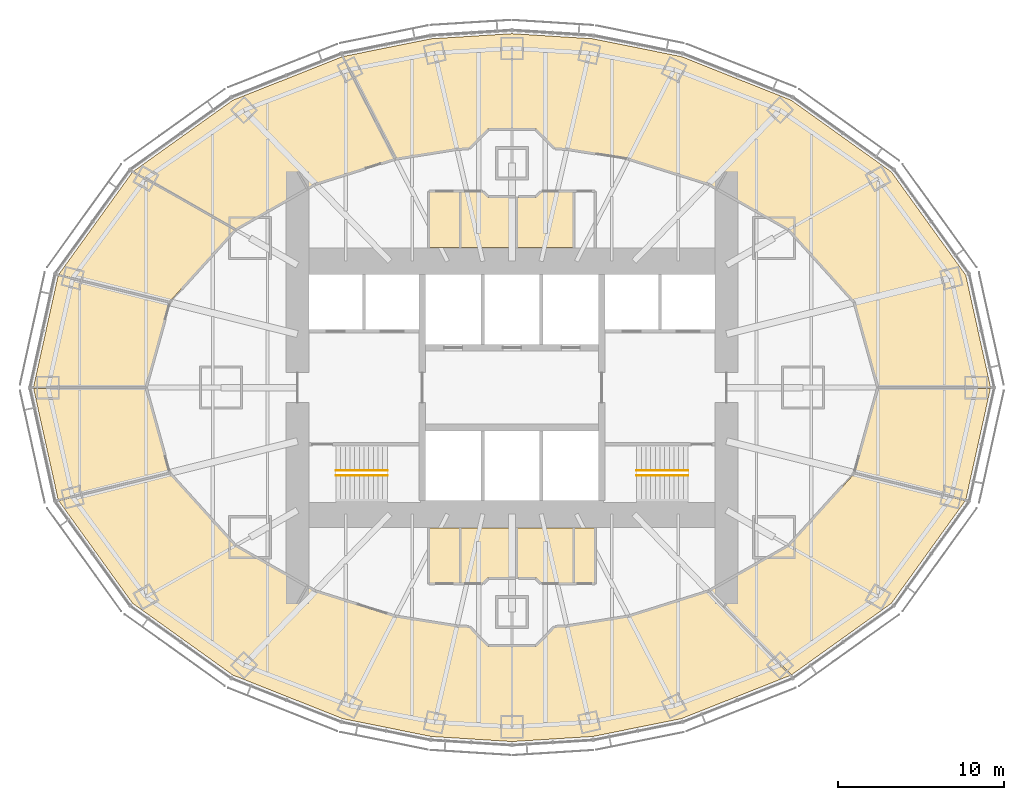
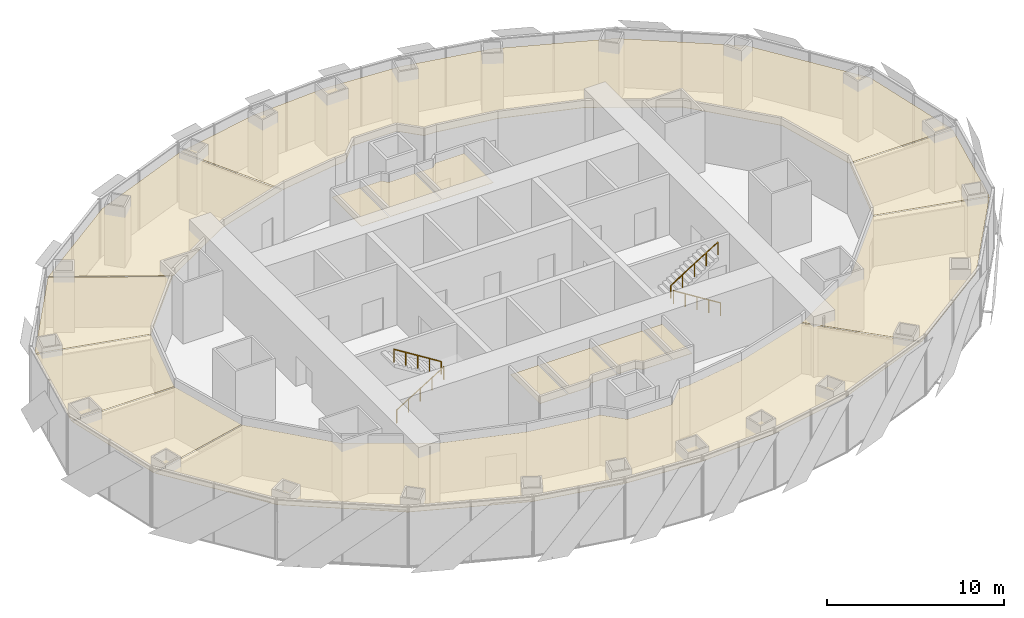
# One storey, part 17 of 17: 15 coverings, 4 railings.
"""IFC4 building model written with IfcOpenShell, lengths in metres."""

from ifc_helpers import new_model, si_unit, direction, frame, origin, origin_2d, place, context, subcontext, project, spatial, polyline, circle, outline, extrude, material, layer, layer_set, type_object, element, save


model = new_model("IFC4")

# Units and contexts
model_context = context("Model", 3, precision=1e-05, world=origin(), true_north=direction((0.0, 1.0)))
body_context = subcontext(model_context, "Body", "Model", "MODEL_VIEW")
ifc_project = project(units=[si_unit("LENGTHUNIT", "METRE"), si_unit("AREAUNIT", "SQUARE_METRE"), si_unit("VOLUMEUNIT", "CUBIC_METRE"), si_unit("PLANEANGLEUNIT", "RADIAN"), si_unit("MASSUNIT", "GRAM", prefix="KILO")], contexts=[model_context])

# Site, building, storey
site_placement = place(None, origin())
site = spatial("IfcSite", under=ifc_project, at=site_placement, CompositionType="ELEMENT")
building_placement = place(site_placement, origin())
building = spatial("IfcBuilding", under=site, at=building_placement, Name="Lantaw Convention Tower", CompositionType="ELEMENT")
storey_placement = place(building_placement, frame((0.0, 0.0, 125.800048828125)))
storey = spatial("IfcBuildingStorey", under=building, at=storey_placement, Name="L29", CompositionType="ELEMENT", Elevation=125.800048828125)

# Railings
ifc_material_1 = material(Name="Stainless steel", Category="steel")
railing_type = type_object("IfcRailingType", Name="Stair handrail", PredefinedType="HANDRAIL", material=ifc_material_1)
railing_1_placement = place(storey_placement, frame((-10.580078125, -5.280029296875, 0.175048828125)))
element("IfcRailing", 1, at=railing_1_placement, inside=storey, type_object=railing_type, Name="Stair handrail S1", PredefinedType="HANDRAIL", context=body_context, shape_type="SweptSolid", body=[
    extrude(circle(Radius=0.02392578125, at=origin_2d()), frame((0.0, 0.0, 0.8759765625), z_axis=(0.848028513186, 0.0, 0.529950602248), x_axis=(0.0, 1.0, 0.0)), (0.0, 0.0, 1.0), 3.632080078125),
    extrude(circle(Radius=0.02099609375, at=origin_2d()), origin(), (0.0, 0.0, 1.0), 0.851806640625),
    extrude(circle(Radius=0.02099609375, at=origin_2d()), frame((0.77001953125, 0.0, 0.481201171875)), (0.0, 0.0, 1.0), 0.851806640625),
    extrude(circle(Radius=0.02099609375, at=origin_2d()), frame((1.5400390625, 0.0, 0.96240234375)), (0.0, 0.0, 1.0), 0.851806640625),
    extrude(circle(Radius=0.02099609375, at=origin_2d()), frame((2.31005859375, 0.0, 1.443603515625)), (0.0, 0.0, 1.0), 0.851806640625),
    extrude(circle(Radius=0.02099609375, at=origin_2d()), frame((3.080078125, 0.0, 1.9248046875)), (0.0, 0.0, 1.0), 0.851806640625),
])
railing_2_placement = place(storey_placement, frame((-7.5, -4.97998046875, 2.27490234375)))
element("IfcRailing", 2, at=railing_2_placement, inside=storey, type_object=railing_type, Name="Stair handrail S1", PredefinedType="HANDRAIL", context=body_context, shape_type="SweptSolid", body=[
    extrude(circle(Radius=0.02392578125, at=origin_2d()), frame((0.0, 0.0, 0.8759765625), z_axis=(-0.847998304005, 0.0, 0.529998940003), x_axis=(0.0, -1.0, 0.0)), (0.0, 0.0, 1.0), 3.632080078125),
    extrude(circle(Radius=0.02099609375, at=origin_2d()), origin(), (0.0, 0.0, 1.0), 0.851806640625),
    extrude(circle(Radius=0.02099609375, at=origin_2d()), frame((-0.77001953125, 0.0, 0.481201171875)), (0.0, 0.0, 1.0), 0.851806640625),
    extrude(circle(Radius=0.02099609375, at=origin_2d()), frame((-1.5400390625, 0.0, 0.96240234375)), (0.0, 0.0, 1.0), 0.851806640625),
    extrude(circle(Radius=0.02099609375, at=origin_2d()), frame((-2.31005859375, 0.0, 1.44384765625)), (0.0, 0.0, 1.0), 0.851806640625),
    extrude(circle(Radius=0.02099609375, at=origin_2d()), frame((-3.080078125, 0.0, 1.925048828125)), (0.0, 0.0, 1.0), 0.851806640625),
])
railing_3_placement = place(storey_placement, frame((10.580078125, -5.280029296875, 0.175048828125)))
element("IfcRailing", 3, at=railing_3_placement, inside=storey, type_object=railing_type, Name="Stair handrail S2", PredefinedType="HANDRAIL", context=body_context, shape_type="SweptSolid", body=[
    extrude(circle(Radius=0.02392578125, at=origin_2d()), frame((0.0, 0.0, 0.8759765625), z_axis=(-0.848028513186, 0.0, 0.529950602248), x_axis=(0.0, -1.0, 0.0)), (0.0, 0.0, 1.0), 3.632080078125),
    extrude(circle(Radius=0.02099609375, at=origin_2d()), origin(), (0.0, 0.0, 1.0), 0.851806640625),
    extrude(circle(Radius=0.02099609375, at=origin_2d()), frame((-0.77001953125, 0.0, 0.481201171875)), (0.0, 0.0, 1.0), 0.851806640625),
    extrude(circle(Radius=0.02099609375, at=origin_2d()), frame((-1.5400390625, 0.0, 0.96240234375)), (0.0, 0.0, 1.0), 0.851806640625),
    extrude(circle(Radius=0.02099609375, at=origin_2d()), frame((-2.31005859375, 0.0, 1.443603515625)), (0.0, 0.0, 1.0), 0.851806640625),
    extrude(circle(Radius=0.02099609375, at=origin_2d()), frame((-3.080078125, 0.0, 1.9248046875)), (0.0, 0.0, 1.0), 0.851806640625),
])
railing_4_placement = place(storey_placement, frame((7.5, -4.97998046875, 2.27490234375)))
element("IfcRailing", 4, at=railing_4_placement, inside=storey, type_object=railing_type, Name="Stair handrail S2", PredefinedType="HANDRAIL", context=body_context, shape_type="SweptSolid", body=[
    extrude(circle(Radius=0.02392578125, at=origin_2d()), frame((0.0, 0.0, 0.8759765625), z_axis=(0.847998304005, 0.0, 0.529998940003), x_axis=(0.0, 1.0, 0.0)), (0.0, 0.0, 1.0), 3.632080078125),
    extrude(circle(Radius=0.02099609375, at=origin_2d()), origin(), (0.0, 0.0, 1.0), 0.851806640625),
    extrude(circle(Radius=0.02099609375, at=origin_2d()), frame((0.77001953125, 0.0, 0.481201171875)), (0.0, 0.0, 1.0), 0.851806640625),
    extrude(circle(Radius=0.02099609375, at=origin_2d()), frame((1.5400390625, 0.0, 0.96240234375)), (0.0, 0.0, 1.0), 0.851806640625),
    extrude(circle(Radius=0.02099609375, at=origin_2d()), frame((2.31005859375, 0.0, 1.44384765625)), (0.0, 0.0, 1.0), 0.851806640625),
    extrude(circle(Radius=0.02099609375, at=origin_2d()), frame((3.080078125, 0.0, 1.925048828125)), (0.0, 0.0, 1.0), 0.851806640625),
])

# Coverings
ifc_material_2 = material(Name="Gypsum board on steel suspension grid", Category="steel")
ifc_layer = layer(ifc_material_2, 0.02001953125)
ifc_layer_set = layer_set([ifc_layer], Name="Suspended ceiling")
covering_type = type_object("IfcCoveringType", Name="Suspended ceiling", PredefinedType="CEILING", material=ifc_layer_set)
covering_1_placement = place(storey_placement, frame((0.0, 0.0, 3.449951171875)))
element("IfcCovering", 5, at=covering_1_placement, inside=storey, type_object=covering_type, Name="Accessible WC ceiling", PredefinedType="CEILING", context=body_context, shape_type="SweptSolid", body=[
    extrude(outline(polyline([(-4.9599609375, 8.43994140625), (-3.139892578125, 8.43994140625), (-3.139892578125, 11.760009765625), (-4.9599609375, 11.760009765625), (-4.9599609375, 8.43994140625)])), origin(), (0.0, 0.0, 1.0), 0.02001953125),
])
covering_2_placement = place(storey_placement, frame((0.0, 0.0, 3.449951171875)))
element("IfcCovering", 6, at=covering_2_placement, inside=storey, type_object=covering_type, Name="Male WC ceiling", PredefinedType="CEILING", context=body_context, shape_type="SweptSolid", body=[
    extrude(outline(polyline([(-3.06005859375, 11.760009765625), (-3.06005859375, 8.43994140625), (0.260009765625, 8.43994140625), (0.260009765625, 11.43505859375), (-1.441162109375, 11.43505859375), (-1.76611328125, 11.760009765625), (-3.06005859375, 11.760009765625)])), origin(), (0.0, 0.0, 1.0), 0.02001953125),
])
covering_3_placement = place(storey_placement, frame((0.0, 0.0, 3.449951171875)))
element("IfcCovering", 7, at=covering_3_placement, inside=storey, type_object=covering_type, Name="Female WC ceiling", PredefinedType="CEILING", context=body_context, shape_type="SweptSolid", body=[
    extrude(outline(polyline([(0.340087890625, 11.43505859375), (0.340087890625, 8.43994140625), (3.659912109375, 8.43994140625), (3.659912109375, 11.760009765625), (1.76611328125, 11.760009765625), (1.441162109375, 11.43505859375), (0.340087890625, 11.43505859375)])), origin(), (0.0, 0.0, 1.0), 0.02001953125),
])
covering_4_placement = place(storey_placement, frame((0.0, 0.0, 3.449951171875)))
element("IfcCovering", 8, at=covering_4_placement, inside=storey, type_object=covering_type, Name="Accessible WC ceiling", PredefinedType="CEILING", context=body_context, shape_type="SweptSolid", body=[
    extrude(outline(polyline([(-4.9599609375, -11.760009765625), (-3.139892578125, -11.760009765625), (-3.139892578125, -8.43994140625), (-4.9599609375, -8.43994140625), (-4.9599609375, -11.760009765625)])), origin(), (0.0, 0.0, 1.0), 0.02001953125),
])
covering_5_placement = place(storey_placement, frame((0.0, 0.0, 3.449951171875)))
element("IfcCovering", 9, at=covering_5_placement, inside=storey, type_object=covering_type, Name="Male WC ceiling", PredefinedType="CEILING", context=body_context, shape_type="SweptSolid", body=[
    extrude(outline(polyline([(-3.06005859375, -8.43994140625), (-3.06005859375, -11.760009765625), (-1.76611328125, -11.760009765625), (-1.441162109375, -11.43505859375), (0.260009765625, -11.43505859375), (0.260009765625, -8.43994140625), (-3.06005859375, -8.43994140625)])), origin(), (0.0, 0.0, 1.0), 0.02001953125),
])
covering_6_placement = place(storey_placement, frame((0.0, 0.0, 3.449951171875)))
element("IfcCovering", 10, at=covering_6_placement, inside=storey, type_object=covering_type, Name="Female WC ceiling", PredefinedType="CEILING", context=body_context, shape_type="SweptSolid", body=[
    extrude(outline(polyline([(0.340087890625, -8.43994140625), (0.340087890625, -11.43505859375), (1.441162109375, -11.43505859375), (1.76611328125, -11.760009765625), (3.659912109375, -11.760009765625), (3.659912109375, -8.43994140625), (0.340087890625, -8.43994140625)])), origin(), (0.0, 0.0, 1.0), 0.02001953125),
])
covering_7_placement = place(storey_placement, frame((0.0, 0.0, 3.449951171875)))
element("IfcCovering", 11, at=covering_7_placement, inside=storey, type_object=covering_type, Name="Pantry ceiling", PredefinedType="CEILING", context=body_context, shape_type="SweptSolid", body=[
    extrude(outline(polyline([(3.739990234375, -11.760009765625), (4.9599609375, -11.760009765625), (4.9599609375, -8.43994140625), (3.739990234375, -8.43994140625), (3.739990234375, -11.760009765625)])), origin(), (0.0, 0.0, 1.0), 0.02001953125),
])
covering_8_placement = place(storey_placement, frame((0.0, 0.0, 3.449951171875)))
element("IfcCovering", 12, at=covering_8_placement, inside=storey, type_object=covering_type, Name="Contact-centre floor ceiling", PredefinedType="CEILING", context=body_context, shape_type="SweptSolid", body=[
    extrude(outline(polyline([(-2.06494140625, 14.928955078125), (-2.06494140625, 14.941162109375), (-1.441162109375, 15.56494140625), (1.441162109375, 15.56494140625), (2.06494140625, 14.941162109375), (2.06494140625, 14.928955078125), (2.58349609375, 14.4111328125), (3.313720703125, 14.374755859375), (7.012939453125, 13.78466796875), (11.828857421875, 12.269287109375), (16.647705078125, 9.5302734375), (20.61279296875, 5.150146484375), (22.030517578125, 0.0400390625), (28.77099609375, 0.0400390625), (27.286865234375, 6.763671875), (22.815185546875, 12.970947265625), (16.778076171875, 17.29150390625), (10.1865234375, 19.90576171875), (4.864501953125, 20.978271484375), (0.0, 21.28466796875), (-4.864501953125, 20.978271484375), (-10.13818359375, 19.91552734375), (-6.9814453125, 13.78955078125), (-3.313720703125, 14.374755859375), (-2.58349609375, 14.4111328125), (-2.06494140625, 14.928955078125)])), origin(), (0.0, 0.0, 1.0), 0.02001953125),
])
covering_9_placement = place(storey_placement, frame((0.0, 0.0, 3.449951171875)))
element("IfcCovering", 13, at=covering_9_placement, inside=storey, type_object=covering_type, Name="Training room ceiling", PredefinedType="CEILING", context=body_context, shape_type="SweptSolid", body=[
    extrude(outline(polyline([(-7.06103515625, 13.76953125), (-10.217041015625, 19.893798828125), (-16.778076171875, 17.29150390625), (-22.76953125, 13.003662109375), (-16.62255859375, 9.54443359375), (-11.828857421875, 12.269287109375), (-7.06103515625, 13.76953125)])), origin(), (0.0, 0.0, 1.0), 0.02001953125),
])
covering_10_placement = place(storey_placement, frame((0.0, 0.0, 3.449951171875)))
element("IfcCovering", 14, at=covering_10_placement, inside=storey, type_object=covering_type, Name="Nap room ceiling", PredefinedType="CEILING", context=body_context, shape_type="SweptSolid", body=[
    extrude(outline(polyline([(-16.685791015625, 9.48828125), (-22.832275390625, 12.947265625), (-27.257080078125, 6.80517578125), (-20.590576171875, 5.1748046875), (-16.685791015625, 9.48828125)])), origin(), (0.0, 0.0, 1.0), 0.02001953125),
])
covering_11_placement = place(storey_placement, frame((0.0, 0.0, 3.449951171875)))
element("IfcCovering", 15, at=covering_11_placement, inside=storey, type_object=covering_type, Name="Quiet room ceiling", PredefinedType="CEILING", context=body_context, shape_type="SweptSolid", body=[
    extrude(outline(polyline([(-20.62646484375, 5.101318359375), (-27.2939453125, 6.731689453125), (-28.77099609375, 0.0400390625), (-22.030517578125, 0.0400390625), (-20.62646484375, 5.101318359375)])), origin(), (0.0, 0.0, 1.0), 0.02001953125),
])
covering_12_placement = place(storey_placement, frame((0.0, 0.0, 3.449951171875)))
element("IfcCovering", 16, at=covering_12_placement, inside=storey, type_object=covering_type, Name="24-hour pantry ceiling", PredefinedType="CEILING", context=body_context, shape_type="SweptSolid", body=[
    extrude(outline(polyline([(-22.030517578125, -0.0400390625), (-28.77099609375, -0.0400390625), (-27.2939453125, -6.731689453125), (-20.62646484375, -5.101318359375), (-22.030517578125, -0.0400390625)])), origin(), (0.0, 0.0, 1.0), 0.02001953125),
])
covering_13_placement = place(storey_placement, frame((0.0, 0.0, 3.449951171875)))
element("IfcCovering", 17, at=covering_13_placement, inside=storey, type_object=covering_type, Name="Contact-centre floor ceiling", PredefinedType="CEILING", context=body_context, shape_type="SweptSolid", body=[
    extrude(outline(polyline([(-11.828857421875, -12.269287109375), (-16.647705078125, -9.5302734375), (-20.590576171875, -5.1748046875), (-27.257080078125, -6.80517578125), (-22.815185546875, -12.970947265625), (-16.778076171875, -17.29150390625), (-10.1865234375, -19.90576171875), (-4.864501953125, -20.978271484375), (0.0, -21.28466796875), (4.864501953125, -20.978271484375), (10.1865234375, -19.90576171875), (16.7265625, -17.311767578125), (11.80126953125, -12.278076171875), (7.012939453125, -13.78466796875), (3.313720703125, -14.374755859375), (2.58349609375, -14.4111328125), (2.06494140625, -14.928955078125), (2.06494140625, -14.941162109375), (1.441162109375, -15.56494140625), (-1.441162109375, -15.56494140625), (-2.06494140625, -14.941162109375), (-2.06494140625, -14.928955078125), (-2.58349609375, -14.4111328125), (-3.313720703125, -14.374755859375), (-7.012939453125, -13.78466796875), (-11.828857421875, -12.269287109375)])), origin(), (0.0, 0.0, 1.0), 0.02001953125),
])
covering_14_placement = place(storey_placement, frame((0.0, 0.0, 3.449951171875)))
element("IfcCovering", 18, at=covering_14_placement, inside=storey, type_object=covering_type, Name="Training room ceiling", PredefinedType="CEILING", context=body_context, shape_type="SweptSolid", body=[
    extrude(outline(polyline([(11.877685546875, -12.24169921875), (16.802001953125, -17.2744140625), (22.815185546875, -12.970947265625), (27.257080078125, -6.80517578125), (20.590576171875, -5.1748046875), (16.647705078125, -9.5302734375), (11.877685546875, -12.24169921875)])), origin(), (0.0, 0.0, 1.0), 0.02001953125),
])
covering_15_placement = place(storey_placement, frame((0.0, 0.0, 3.449951171875)))
element("IfcCovering", 19, at=covering_15_placement, inside=storey, type_object=covering_type, Name="Nap room ceiling", PredefinedType="CEILING", context=body_context, shape_type="SweptSolid", body=[
    extrude(outline(polyline([(20.62646484375, -5.101318359375), (27.2939453125, -6.731689453125), (28.77099609375, -0.0400390625), (22.030517578125, -0.0400390625), (20.62646484375, -5.101318359375)])), origin(), (0.0, 0.0, 1.0), 0.02001953125),
])

save(model, "model.ifc")
